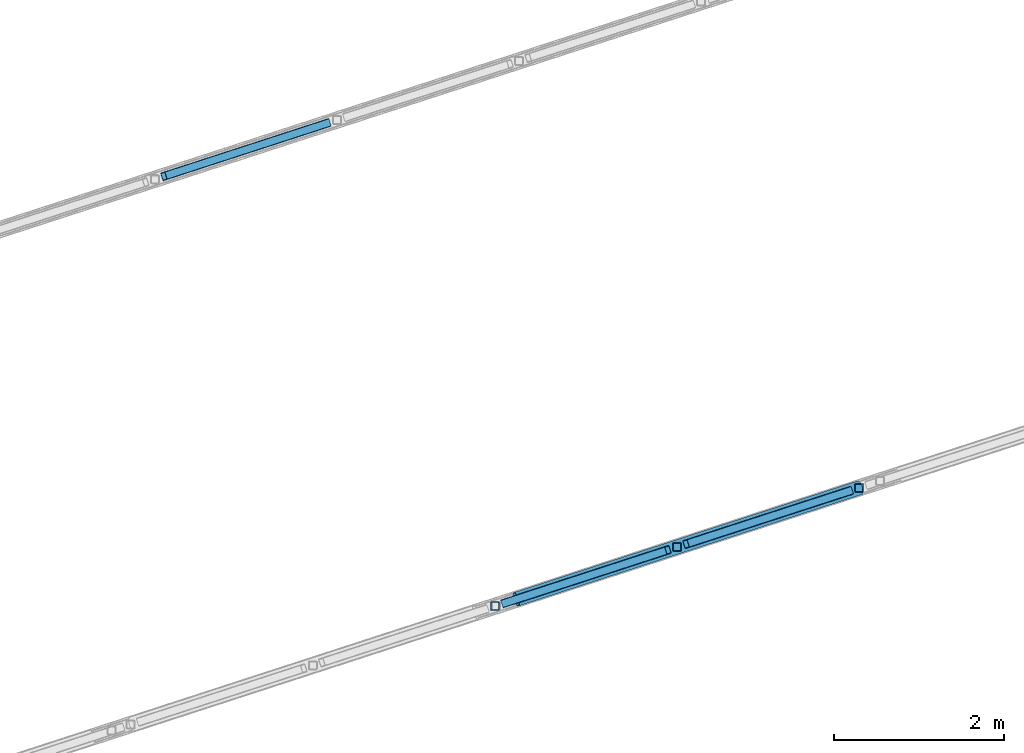
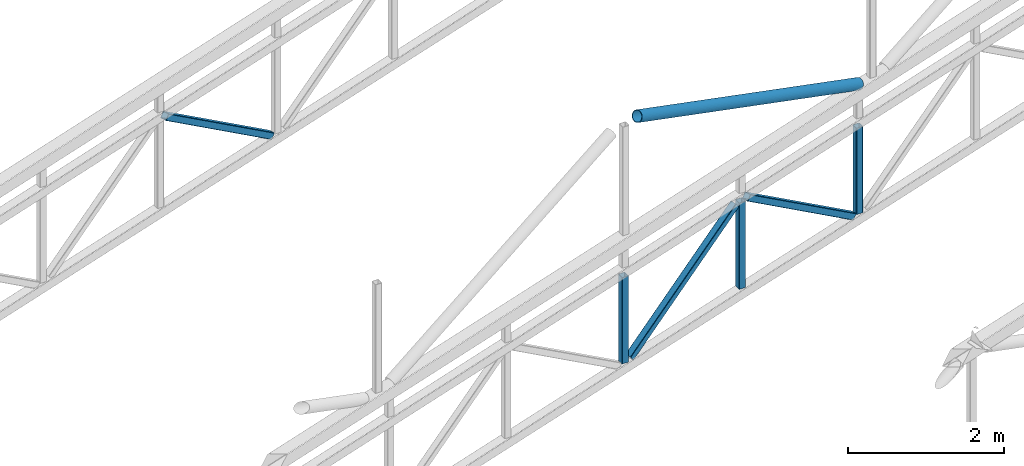
# One storey, part 15 of 81: 7 members.
"""IFC4 building model written with IfcOpenShell, lengths in metres."""

from ifc_helpers import new_model, si_unit, direction, frame, origin, origin_2d, place, context, subcontext, project, spatial, hollow_rectangle, hollow_circle, extrude, material, material_profile, profile_set, type_object, element, save


model = new_model("IFC4")

# Units and contexts
model_context = context("Model", 3, precision=1e-05, world=origin(), true_north=direction((0.0, 1.0)))
body_context = subcontext(model_context, "Body", "Model", "MODEL_VIEW")
ifc_project = project(units=[si_unit("LENGTHUNIT", "METRE"), si_unit("AREAUNIT", "SQUARE_METRE"), si_unit("VOLUMEUNIT", "CUBIC_METRE"), si_unit("PLANEANGLEUNIT", "RADIAN"), si_unit("MASSUNIT", "GRAM", prefix="KILO")], contexts=[model_context])

# Site, building, storey
site_placement = place(None, origin())
site = spatial("IfcSite", under=ifc_project, at=site_placement, CompositionType="ELEMENT")
building_placement = place(site_placement, origin())
building = spatial("IfcBuilding", under=site, at=building_placement, Name="Tuart Plaza Theatre", CompositionType="ELEMENT")
storey_placement = place(building_placement, frame((0.0, 0.0, 17.5)))
storey = spatial("IfcBuildingStorey", under=building, at=storey_placement, Name="L04", CompositionType="ELEMENT", Elevation=17.5)

# Members
ifc_material_1 = material(Name="Steel Grade C350L0", Category="steel")
ifc_material_profile_1 = material_profile(ifc_material_1, hollow_rectangle(XDim=0.10009765625, YDim=0.10009765625, WallThickness=0.006103515625, InnerFilletRadius=0.006103515625, OuterFilletRadius=0.011962890625, at=origin_2d()), Name="100x100x6 SHS")
ifc_profile_set_1 = profile_set([ifc_material_profile_1], Name="Steel Grade C350L0")
member_type_1 = type_object("IfcMemberType", Name="MEMBER Brace 100x100x6 SHS", PredefinedType="BRACE", material=ifc_profile_set_1)
for number, where, z_axis, x_axis, name in (
    (1, (61.104248046875, 55.071044921875, 1.099365234375), (0.791072972357, 0.257066093415, 0.555086097847), (-0.309050599318, 0.951045596731, 0.0), "BR113"),
    (2, (63.2421875, 55.765869140625, 2.449462890625), (0.791093381678, 0.256972345781, -0.555100418815), (-0.308941443477, 0.951081060953, 0.0), "BR114"),
):
    element("IfcMember", number, at=place(storey_placement, frame(where, z_axis=z_axis, x_axis=x_axis)), inside=storey, type_object=member_type_1, Name=name, PredefinedType="BRACE", context=body_context, shape_type="SweptSolid", body=[
        extrude(hollow_rectangle(XDim=0.10009765625, YDim=0.10009765625, WallThickness=0.006103515625, InnerFilletRadius=0.006103515625, OuterFilletRadius=0.011962890625, at=origin_2d()), origin(), (0.0, 0.0, 1.0), 2.43212890625),
    ])
member_1_placement = place(storey_placement, frame((57.112060546875, 60.082763671875, 3.24169921875), z_axis=(0.7911105294, 0.257045682034, -0.555042023292), x_axis=(-0.309015134011, 0.951057120762, 0.0)))
element("IfcMember", 3, at=member_1_placement, inside=storey, type_object=member_type_1, Name="BR124", PredefinedType="BRACE", context=body_context, shape_type="SweptSolid", body=[
    extrude(hollow_rectangle(XDim=0.10009765625, YDim=0.10009765625, WallThickness=0.006103515625, InnerFilletRadius=0.006103515625, OuterFilletRadius=0.011962890625, at=origin_2d()), origin(), (0.0, 0.0, 1.0), 2.432373046875),
])
ifc_material_2 = material(Name="Steel Grade C350L0", Category="steel")
ifc_material_profile_2 = material_profile(ifc_material_2, hollow_circle(Radius=0.084228515625, WallThickness=0.00634765625, at=origin_2d()), Name="168.3x6.4 CHS")
ifc_profile_set_2 = profile_set([ifc_material_profile_2], Name="Steel Grade C350L0")
member_type_2 = type_object("IfcMemberType", Name="MEMBER Brace 168.3x6.4 CHS", PredefinedType="BRACE", material=ifc_profile_set_2)
member_2_placement = place(storey_placement, frame((61.24658203125, 55.117431640625, 4.799560546875), z_axis=(0.882805299901, 0.28684361714, -0.371988631241), x_axis=(-0.309019710385, 0.951055633806, 0.0)))
element("IfcMember", 4, at=member_2_placement, inside=storey, type_object=member_type_2, Name="BR10", PredefinedType="BRACE", context=body_context, shape_type="SweptSolid", body=[
    extrude(hollow_circle(Radius=0.084228515625, WallThickness=0.00634765625, at=origin_2d()), origin(), (0.0, 0.0, 1.0), 4.570556640625),
])
ifc_material_3 = material(Name="Steel Grade C350L0", Category="steel")
ifc_material_profile_3 = material_profile(ifc_material_3, hollow_rectangle(XDim=0.10009765625, YDim=0.10009765625, WallThickness=0.006103515625, InnerFilletRadius=0.006103515625, OuterFilletRadius=0.011962890625, at=origin_2d()), Name="100x100x6 SHS")
ifc_profile_set_3 = profile_set([ifc_material_profile_3], Name="Steel Grade C350L0")
member_type_3 = type_object("IfcMemberType", Name="MEMBER Post 100x100x6 SHS", PredefinedType="POST", material=ifc_profile_set_3)
for number, where, z_axis, x_axis, name in (
    (5, (60.997314453125, 55.036376953125, 1.099365234375), (0.0, 0.0, 1.0), (1.0, 0.0, 0.0), "PO115"),
    (6, (63.13525390625, 55.73095703125, 1.099365234375), (0.0, 0.0, 1.0), (1.0, 0.0, 0.0), "PO116"),
    (7, (65.27294921875, 56.42578125, 1.099365234375), (0.0, 0.0, 1.0), (1.0, 0.0, 0.0), "PO117"),
):
    element("IfcMember", number, at=place(storey_placement, frame(where, z_axis=z_axis, x_axis=x_axis)), inside=storey, type_object=member_type_3, Name=name, PredefinedType="POST", context=body_context, shape_type="SweptSolid", body=[
        extrude(hollow_rectangle(XDim=0.10009765625, YDim=0.10009765625, WallThickness=0.006103515625, InnerFilletRadius=0.006103515625, OuterFilletRadius=0.011962890625, at=origin_2d()), origin(), (0.0, 0.0, 1.0), 1.35009765625),
    ])

save(model, "model.ifc")
